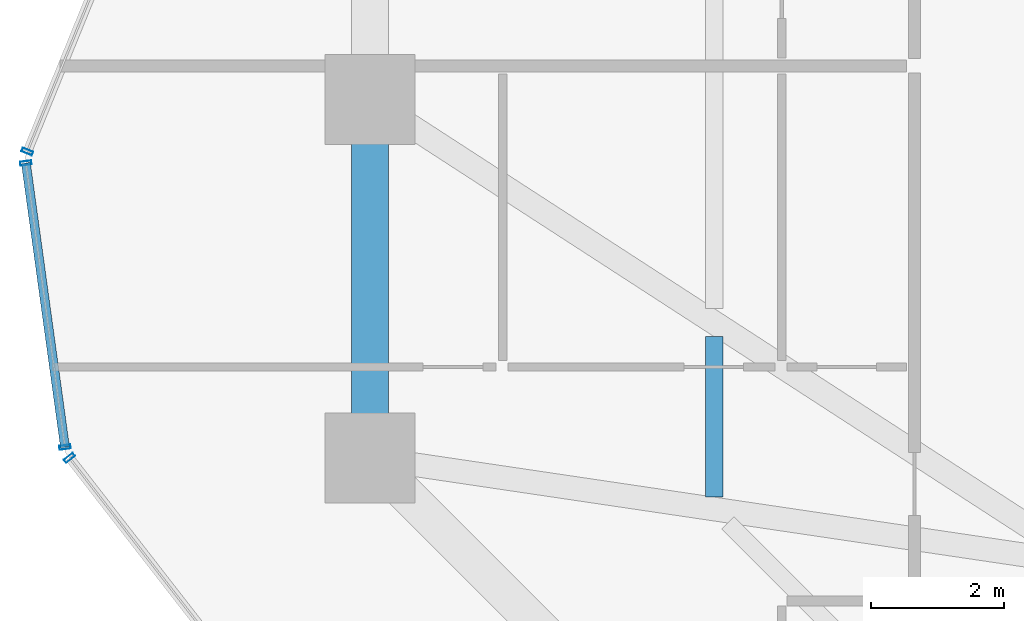
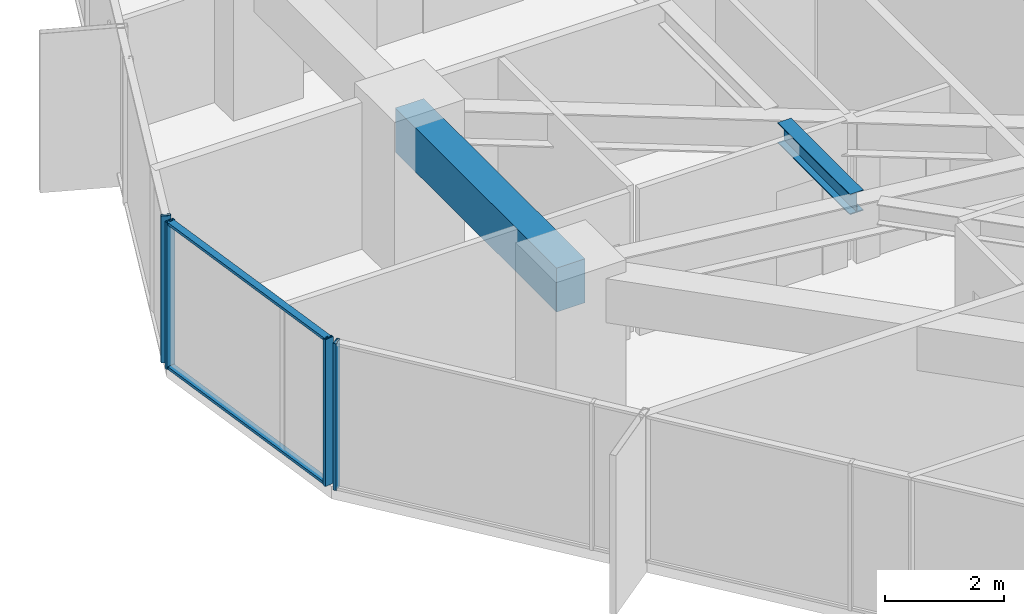
# One storey, part 10 of 37: 6 members, 2 beams, 3 elements without a shape of their own.
"""IFC4 building model written with IfcOpenShell, lengths in metres."""

from ifc_helpers import new_model, si_unit, direction, frame, origin, origin_2d, place, context, subcontext, project, spatial, rectangle, hollow_rectangle, i_section, extrude, source, transform, mapped, material, layer, layer_set, material_profile, profile_set, type_object, element, aggregate, save


model = new_model("IFC4")

# Units and contexts
model_context = context("Model", 3, precision=1e-05, world=origin(), true_north=direction((0.0, 1.0)))
body_context = subcontext(model_context, "Body", "Model", "MODEL_VIEW")
ifc_project = project(units=[si_unit("LENGTHUNIT", "METRE"), si_unit("AREAUNIT", "SQUARE_METRE"), si_unit("VOLUMEUNIT", "CUBIC_METRE"), si_unit("PLANEANGLEUNIT", "RADIAN"), si_unit("MASSUNIT", "GRAM", prefix="KILO")], contexts=[model_context])

# Site, building, storey
site_placement = place(None, origin())
site = spatial("IfcSite", under=ifc_project, at=site_placement, CompositionType="ELEMENT")
building_placement = place(site_placement, origin())
building = spatial("IfcBuilding", under=site, at=building_placement, Name="Veraguas Prism Commons", CompositionType="ELEMENT")
storey_placement = place(building_placement, frame((0.0, 0.0, 50.050048828125)))
storey = spatial("IfcBuildingStorey", under=building, at=storey_placement, Name="L13", CompositionType="ELEMENT", Elevation=50.050048828125)

# Beams
ifc_material_1 = material(Name="Steel ASTM A992 Grade 50", Category="steel")
ifc_material_profile_1 = material_profile(ifc_material_1, i_section(OverallWidth=0.260986328125, OverallDepth=0.419921875, WebThickness=0.01171875, FlangeThickness=0.019287109375, at=origin_2d()), Name="W410X114")
ifc_profile_set_1 = profile_set([ifc_material_profile_1], Name="Steel ASTM A992 Grade 50")
beam_type_1 = type_object("IfcBeamType", Name="Lower Floor Joist W410x114", PredefinedType="JOIST", material=ifc_profile_set_1)
beam_1_placement = place(storey_placement, frame((11.583984375, 20.430419921875, 2.7900390625), z_axis=(0.0, -1.0, 0.0), x_axis=(1.0, 0.0, 0.0)))
element("IfcBeam", 1, at=beam_1_placement, inside=storey, type_object=beam_type_1, Name="Composite Floor Joist L13-JS08", PredefinedType="JOIST", context=body_context, shape_type="SweptSolid", body=[
    extrude(i_section(OverallWidth=0.260986328125, OverallDepth=0.419921875, WebThickness=0.01171875, FlangeThickness=0.019287109375, at=origin_2d()), origin(), (0.0, 0.0, 1.0), 2.42041015625),
])
ifc_material_2 = material(Name="Concrete C50/60", Category="concrete")
ifc_material_profile_2 = material_profile(ifc_material_2, rectangle(XDim=0.550048828125, YDim=0.89990234375, at=origin_2d()), Name="RC550X900")
ifc_profile_set_2 = profile_set([ifc_material_profile_2], Name="Concrete C50/60")
beam_type_2 = type_object("IfcBeamType", Name="Perimeter Spandrel Lower RC 550x900", PredefinedType="SPANDREL", material=ifc_profile_set_2)
beam_2_placement = place(storey_placement, frame((6.39990234375, 24.0, 2.550048828125), z_axis=(0.0, -1.0, 0.0), x_axis=(1.0, 0.0, 0.0)))
element("IfcBeam", 2, at=beam_2_placement, inside=storey, type_object=beam_type_2, Name="Perimeter Spandrel Beam L13-SP08", PredefinedType="SPANDREL", context=body_context, shape_type="SweptSolid", body=[
    extrude(rectangle(XDim=0.550048828125, YDim=0.89990234375, at=origin_2d()), origin(), (0.0, 0.0, 1.0), 5.39990234375),
])

# Curtain wall, members
ifc_material_3 = material(Name="Anodised aluminium EN AW-6063 T6", Category="aluminium")
ifc_layer = layer(ifc_material_3, 0.169921875, Name="Unitised Flush Curtain Wall Zone 1", Category="aluminium")
ifc_layer_set = layer_set([ifc_layer], Name="Anodised aluminium EN AW-6063 T6")
curtain_wall_type = type_object("IfcCurtainWallType", Name="Unitised Flush Curtain Wall Zone 1", PredefinedType="NOTDEFINED", material=ifc_layer_set)
curtain_wall_1_placement = place(storey_placement, origin())
curtain_wall_1 = element("IfcCurtainWall", 3, at=curtain_wall_1_placement, inside=storey, type_object=curtain_wall_type, Name="Chamfer Curtain Wall L13-C4", PredefinedType="NOTDEFINED")
ifc_material_profile_3 = material_profile(ifc_material_3, hollow_rectangle(XDim=0.054931640625, YDim=0.135009765625, WallThickness=0.0029296875, at=origin_2d()), Name="AL55X135X3")
ifc_profile_set_3 = profile_set([ifc_material_profile_3], Name="Anodised aluminium EN AW-6063 T6")
member_type_1 = type_object("IfcMemberType", Name="Curtain Wall Transom Standard AL 55x135x3", PredefinedType="USERDEFINED", material=ifc_profile_set_3)
shared_shape_1 = source(origin(), body_context, "Body", "SweptSolid", [
    extrude(hollow_rectangle(XDim=0.054931640625, YDim=0.135009765625, WallThickness=0.0029296875, at=origin_2d()), origin(), (0.0, 0.0, 1.0), 4.31982421875),
])
member_1_placement = place(storey_placement, frame((1.216552734375, 23.043212890625, 0.02734375), z_axis=(0.136427029282, -0.990650122738, 0.0), x_axis=(0.0, 0.0, 1.0)))
member_1 = element("IfcMember", 4, at=member_1_placement, type_object=member_type_1, Name="CW-Z1 Transom 1", ObjectType="TRANSOM", PredefinedType="USERDEFINED", context=body_context, shape_type="MappedRepresentation", body=[
    mapped(shared_shape_1, transform((0.0, 0.0, 0.0), scale=1.0)),
])
member_2_placement = place(storey_placement, frame((1.216552734375, 23.043212890625, 2.972412109375), z_axis=(0.136427029282, -0.990650122738, 0.0), x_axis=(0.0, 0.0, 1.0)))
member_2 = element("IfcMember", 5, at=member_2_placement, type_object=member_type_1, Name="CW-Z1 Transom 2", ObjectType="TRANSOM", PredefinedType="USERDEFINED", context=body_context, shape_type="MappedRepresentation", body=[
    mapped(shared_shape_1, transform((0.0, 0.0, 0.0), scale=1.0)),
])

# Curtain wall, member
curtain_wall_2_placement = place(storey_placement, origin())
curtain_wall_2 = element("IfcCurtainWall", 6, at=curtain_wall_2_placement, inside=storey, type_object=curtain_wall_type, Name="Tower Facade Curtain Wall L13-F3", PredefinedType="NOTDEFINED")
ifc_material_profile_4 = material_profile(ifc_material_3, hollow_rectangle(XDim=0.06005859375, YDim=0.169921875, WallThickness=0.00390625, at=origin_2d()), Name="AL60X170X4")
ifc_profile_set_4 = profile_set([ifc_material_profile_4], Name="Anodised aluminium EN AW-6063 T6")
member_type_2 = type_object("IfcMemberType", Name="Curtain Wall Mullion Lower AL 60x170x4", PredefinedType="MULLION", material=ifc_profile_set_4)
shared_shape_2 = source(origin(), body_context, "Body", "SweptSolid", [
    extrude(hollow_rectangle(XDim=0.06005859375, YDim=0.169921875, WallThickness=0.00390625, at=origin_2d()), origin(), (0.0, 0.0, 1.0), 3.0),
])
member_3_placement = place(storey_placement, frame((1.23828125, 23.2158203125, 0.0), z_axis=(0.0, 0.0, 1.0), x_axis=(-0.377197548003, -0.926132825128, 0.0)))
member_3 = element("IfcMember", 7, at=member_3_placement, type_object=member_type_2, Name="CW-Z1 Mullion 5", PredefinedType="MULLION", context=body_context, shape_type="MappedRepresentation", body=[
    mapped(shared_shape_2, transform((0.0, 0.0, 0.0), scale=1.0)),
])
aggregate(curtain_wall_2, [member_3])

curtain_wall_3_placement = place(storey_placement, origin())
curtain_wall_3 = element("IfcCurtainWall", 8, at=curtain_wall_3_placement, inside=storey, type_object=curtain_wall_type, Name="Tower Facade Curtain Wall L13-F4", PredefinedType="NOTDEFINED")
member_4_placement = place(storey_placement, frame((1.873291015625, 18.603515625, 0.0), z_axis=(0.0, 0.0, 1.0), x_axis=(0.613461293172, -0.789724788632, 0.0)))
member_4 = element("IfcMember", 9, at=member_4_placement, type_object=member_type_2, Name="CW-Z1 Mullion 1", PredefinedType="MULLION", context=body_context, shape_type="MappedRepresentation", body=[
    mapped(shared_shape_2, transform((0.0, 0.0, 0.0), scale=1.0)),
])
aggregate(curtain_wall_3, [member_4])

# Member
member_5_placement = place(storey_placement, frame((1.216552734375, 23.043212890625, 0.0), z_axis=(0.0, 0.0, 1.0), x_axis=(0.136391650625, -0.990654994254, 0.0)))
member_5 = element("IfcMember", 10, at=member_5_placement, type_object=member_type_2, Name="CW-Z1 Mullion 1", PredefinedType="MULLION", context=body_context, shape_type="MappedRepresentation", body=[
    mapped(shared_shape_2, transform((0.0, 0.0, 0.0), scale=1.0)),
])

member_6_placement = place(storey_placement, frame((1.805908203125, 18.763671875, 0.0), z_axis=(0.0, 0.0, 1.0), x_axis=(0.136391650625, -0.990654994254, 0.0)))
member_6 = element("IfcMember", 11, at=member_6_placement, type_object=member_type_2, Name="CW-Z1 Mullion 2", PredefinedType="MULLION", context=body_context, shape_type="MappedRepresentation", body=[
    mapped(shared_shape_2, transform((0.0, 0.0, 0.0), scale=1.0)),
])

aggregate(curtain_wall_1, [member_5, member_6, member_1, member_2])

save(model, "model.ifc")
